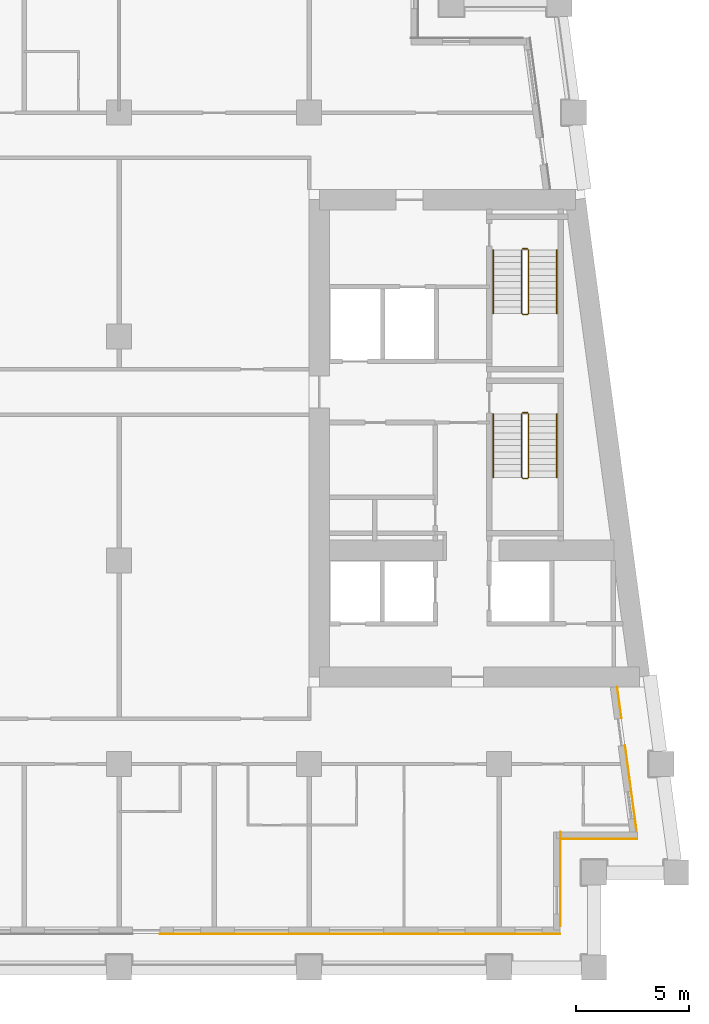
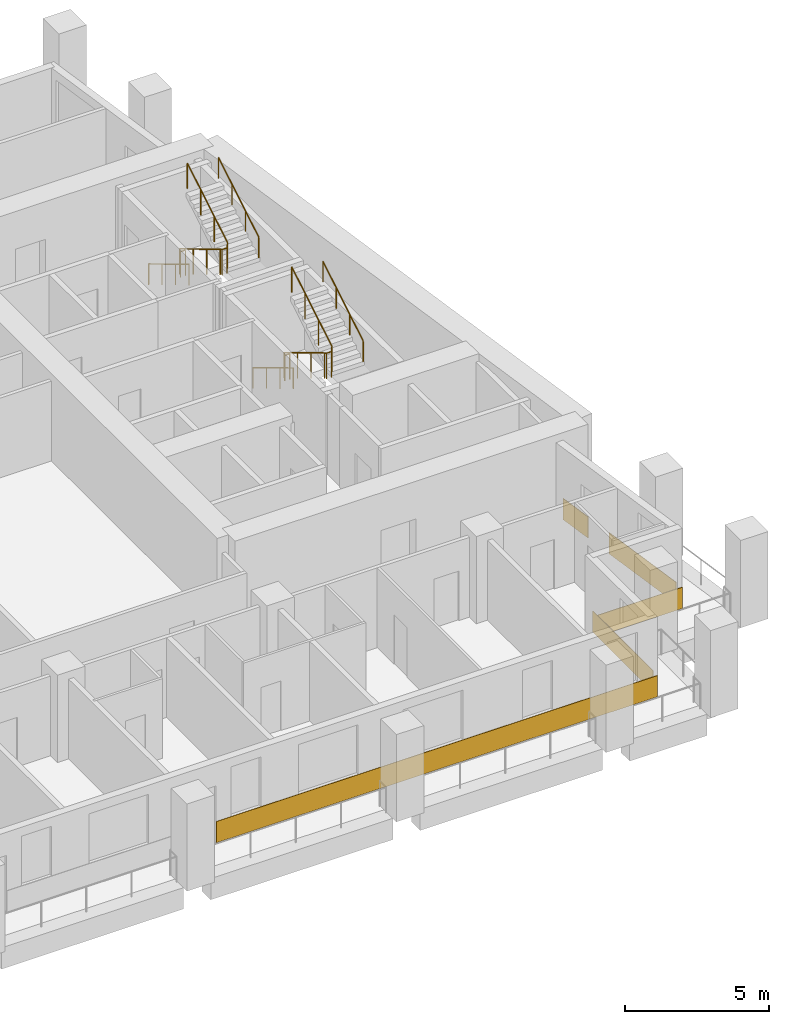
# One storey, part 10 of 12: 8 railings, 5 coverings.
"""IFC4 building model written with IfcOpenShell, lengths in metres."""

from ifc_helpers import new_model, si_unit, direction, frame, origin, origin_2d, place, context, subcontext, project, spatial, rectangle, circle, extrude, material, layer, layer_set, type_object, element, save


model = new_model("IFC4")

# Units and contexts
model_context = context("Model", 3, precision=1e-05, world=origin(), true_north=direction((0.0, 1.0)))
body_context = subcontext(model_context, "Body", "Model", "MODEL_VIEW")
ifc_project = project(units=[si_unit("LENGTHUNIT", "METRE"), si_unit("AREAUNIT", "SQUARE_METRE"), si_unit("VOLUMEUNIT", "CUBIC_METRE"), si_unit("PLANEANGLEUNIT", "RADIAN"), si_unit("MASSUNIT", "GRAM", prefix="KILO")], contexts=[model_context])

# Site, building, storey
site_placement = place(None, origin())
site = spatial("IfcSite", under=ifc_project, at=site_placement, CompositionType="ELEMENT")
building_placement = place(site_placement, origin())
building = spatial("IfcBuilding", under=site, at=building_placement, Name="Candeia Pilgrim Tower and Theatre", CompositionType="ELEMENT")
storey_placement = place(building_placement, frame((0.0, 0.0, 184.800048828125)))
storey = spatial("IfcBuildingStorey", under=building, at=storey_placement, Name="L44", CompositionType="ELEMENT", Elevation=184.800048828125)

# Coverings
ifc_material_1 = material(Name="Glazed ceramic tile rust")
ifc_layer = layer(ifc_material_1, 0.02001953125)
ifc_layer_set = layer_set([ifc_layer], Name="Glazed ceramic tile rust")
covering_type = type_object("IfcCoveringType", Name="Glazed ceramic tile rust", PredefinedType="CLADDING", material=ifc_layer_set)
covering_1_placement = place(storey_placement, frame((128.25, 99.489990234375, 0.0), z_axis=(0.0, 0.0, 1.0), x_axis=(1.0, 0.0, 0.0)))
element("IfcCovering", 1, at=covering_1_placement, inside=storey, type_object=covering_type, Name="Tile cladding rust L44", PredefinedType="CLADDING", context=body_context, shape_type="SweptSolid", body=[
    extrude(rectangle(XDim=17.699951171875, YDim=0.02001953125, at=origin_2d()), origin(), (0.0, 0.0, 1.0), 0.89990234375),
])
covering_2_placement = place(storey_placement, frame((137.110107421875, 101.909912109375, 0.0), z_axis=(0.0, 0.0, 1.0), x_axis=(0.0, 1.0, 0.0)))
element("IfcCovering", 2, at=covering_2_placement, inside=storey, type_object=covering_type, Name="Tile cladding rust L44", PredefinedType="CLADDING", context=body_context, shape_type="SweptSolid", body=[
    extrude(rectangle(XDim=4.179931640625, YDim=0.02001953125, at=origin_2d()), origin(), (0.0, 0.0, 1.0), 0.89990234375),
])
covering_3_placement = place(storey_placement, frame((138.819580078125, 103.68994140625, 0.0), z_axis=(0.0, 0.0, 1.0), x_axis=(1.0, 0.0, 0.0)))
element("IfcCovering", 3, at=covering_3_placement, inside=storey, type_object=covering_type, Name="Tile cladding rust L44", PredefinedType="CLADDING", context=body_context, shape_type="SweptSolid", body=[
    extrude(rectangle(XDim=3.399169921875, YDim=0.02001953125, at=origin_2d()), origin(), (0.0, 0.0, 1.0), 0.89990234375),
])
covering_4_placement = place(storey_placement, frame((140.228515625, 105.933349609375, 0.0), z_axis=(0.0, 0.0, 1.0), x_axis=(-0.133412012145, 0.991060661622, 0.0)))
element("IfcCovering", 4, at=covering_4_placement, inside=storey, type_object=covering_type, Name="Tile cladding rust L44", PredefinedType="CLADDING", context=body_context, shape_type="SweptSolid", body=[
    extrude(rectangle(XDim=3.821044921875, YDim=0.02001953125, at=origin_2d()), origin(), (0.0, 0.0, 1.0), 0.89990234375),
])
covering_5_placement = place(storey_placement, frame((139.718994140625, 109.71875, 0.0), z_axis=(0.0, 0.0, 1.0), x_axis=(-0.133412012145, 0.991060661622, 0.0)))
element("IfcCovering", 5, at=covering_5_placement, inside=storey, type_object=covering_type, Name="Tile cladding rust L44", PredefinedType="CLADDING", context=body_context, shape_type="SweptSolid", body=[
    extrude(rectangle(XDim=1.41796875, YDim=0.02001953125, at=origin_2d()), origin(), (0.0, 0.0, 1.0), 0.89990234375),
])

# Railings
ifc_material_2 = material(Name="Stainless steel balustrade", Category="steel")
railing_type_1 = type_object("IfcRailingType", Name="RL-GUARD-1100", PredefinedType="GUARDRAIL", material=ifc_material_2)
railing_1_placement = place(storey_placement, frame((135.39794921875, 122.47509765625, 0.168212890625)))
element("IfcRailing", 6, at=railing_1_placement, inside=storey, type_object=railing_type_1, Name="L44 ST3 stair guard 1", PredefinedType="GUARDRAIL", context=body_context, shape_type="SweptSolid", body=[
    extrude(circle(Radius=0.02392578125, at=origin_2d()), frame((0.0, 0.0, 1.076171875), z_axis=(0.0, -0.857275202839, 0.514858452973), x_axis=(1.0, 0.0, 0.0)), (0.0, 0.0, 1.0), 3.26611328125),
    extrude(circle(Radius=0.02392578125, at=origin_2d()), frame((0.0, -2.800048828125, 2.7578125), z_axis=(0.707106781187, -0.707106781187, 0.0), x_axis=(0.707106781187, 0.707106781187, 0.0)), (0.0, 0.0, 1.0), 0.07080078125),
    extrude(circle(Radius=0.02392578125, at=origin_2d()), frame((0.050048828125, -2.85009765625, 2.7578125), z_axis=(1.0, 0.0, 0.0), x_axis=(0.0, 1.0, 0.0)), (0.0, 0.0, 1.0), 0.199951171875),
    extrude(circle(Radius=0.02392578125, at=origin_2d()), frame((0.25, -2.85009765625, 2.7578125), z_axis=(0.274243871929, 0.274243871929, 0.92172696468), x_axis=(-0.707106781187, 0.707106781187, 0.0)), (0.0, 0.0, 1.0), 0.1826171875),
    extrude(circle(Radius=0.02392578125, at=origin_2d()), frame((0.300048828125, -2.800048828125, 2.92578125), z_axis=(0.0, 0.857242210791, 0.514913383045), x_axis=(-1.0, 0.0, 0.0)), (0.0, 0.0, 1.0), 3.266357421875),
    extrude(circle(Radius=0.02099609375, at=origin_2d()), origin(), (0.0, 0.0, 1.0), 1.052001953125),
    extrude(circle(Radius=0.02099609375, at=origin_2d()), frame((0.0, -0.933349609375, 0.560546875)), (0.0, 0.0, 1.0), 1.052001953125),
    extrude(circle(Radius=0.02099609375, at=origin_2d()), frame((0.0, -1.86669921875, 1.12109375)), (0.0, 0.0, 1.0), 1.052001953125),
    extrude(circle(Radius=0.02099609375, at=origin_2d()), frame((0.0, -2.800048828125, 1.681640625)), (0.0, 0.0, 1.0), 1.052001953125),
    extrude(circle(Radius=0.02099609375, at=origin_2d()), frame((0.050048828125, -2.85009765625, 1.681640625)), (0.0, 0.0, 1.0), 1.052001953125),
    extrude(circle(Radius=0.02099609375, at=origin_2d()), frame((0.25, -2.85009765625, 1.681640625)), (0.0, 0.0, 1.0), 1.052001953125),
    extrude(circle(Radius=0.02099609375, at=origin_2d()), frame((0.300048828125, -2.800048828125, 1.849853515625)), (0.0, 0.0, 1.0), 1.052001953125),
    extrude(circle(Radius=0.02099609375, at=origin_2d()), frame((0.300048828125, -1.86669921875, 2.410400390625)), (0.0, 0.0, 1.0), 1.052001953125),
    extrude(circle(Radius=0.02099609375, at=origin_2d()), frame((0.300048828125, -0.933349609375, 2.97119140625)), (0.0, 0.0, 1.0), 1.052001953125),
    extrude(circle(Radius=0.02099609375, at=origin_2d()), frame((0.300048828125, 0.0, 3.53173828125)), (0.0, 0.0, 1.0), 1.052001953125),
])
railing_2_placement = place(storey_placement, frame((135.447998046875, 122.52490234375, 0.0)))
element("IfcRailing", 7, at=railing_2_placement, inside=storey, type_object=railing_type_1, Name="L44 ST3 stair guard 2", PredefinedType="GUARDRAIL", context=body_context, shape_type="SweptSolid", body=[
    extrude(circle(Radius=0.02392578125, at=origin_2d()), frame((0.0, 0.0, 1.076171875), z_axis=(1.0, 0.0, 0.0), x_axis=(0.0, 1.0, 0.0)), (0.0, 0.0, 1.0), 0.199951171875),
    extrude(circle(Radius=0.02099609375, at=origin_2d()), origin(), (0.0, 0.0, 1.0), 1.052001953125),
    extrude(circle(Radius=0.02099609375, at=origin_2d()), frame((0.199951171875, 0.0, 0.0)), (0.0, 0.0, 1.0), 1.052001953125),
])
railing_3_placement = place(storey_placement, frame((135.39794921875, 129.72509765625, 0.168212890625)))
element("IfcRailing", 8, at=railing_3_placement, inside=storey, type_object=railing_type_1, Name="L44 ST4 stair guard 1", PredefinedType="GUARDRAIL", context=body_context, shape_type="SweptSolid", body=[
    extrude(circle(Radius=0.02392578125, at=origin_2d()), frame((0.0, 0.0, 1.076171875), z_axis=(0.0, -0.857275202839, 0.514858452973), x_axis=(1.0, 0.0, 0.0)), (0.0, 0.0, 1.0), 3.26611328125),
    extrude(circle(Radius=0.02392578125, at=origin_2d()), frame((0.0, -2.800048828125, 2.7578125), z_axis=(0.707106781187, -0.707106781187, 0.0), x_axis=(0.707106781187, 0.707106781187, 0.0)), (0.0, 0.0, 1.0), 0.07080078125),
    extrude(circle(Radius=0.02392578125, at=origin_2d()), frame((0.050048828125, -2.85009765625, 2.7578125), z_axis=(1.0, 0.0, 0.0), x_axis=(0.0, 1.0, 0.0)), (0.0, 0.0, 1.0), 0.199951171875),
    extrude(circle(Radius=0.02392578125, at=origin_2d()), frame((0.25, -2.85009765625, 2.7578125), z_axis=(0.274243871929, 0.274243871929, 0.92172696468), x_axis=(-0.707106781187, 0.707106781187, 0.0)), (0.0, 0.0, 1.0), 0.1826171875),
    extrude(circle(Radius=0.02392578125, at=origin_2d()), frame((0.300048828125, -2.800048828125, 2.92578125), z_axis=(0.0, 0.857242210791, 0.514913383045), x_axis=(-1.0, 0.0, 0.0)), (0.0, 0.0, 1.0), 3.266357421875),
    extrude(circle(Radius=0.02099609375, at=origin_2d()), origin(), (0.0, 0.0, 1.0), 1.052001953125),
    extrude(circle(Radius=0.02099609375, at=origin_2d()), frame((0.0, -0.933349609375, 0.560546875)), (0.0, 0.0, 1.0), 1.052001953125),
    extrude(circle(Radius=0.02099609375, at=origin_2d()), frame((0.0, -1.86669921875, 1.12109375)), (0.0, 0.0, 1.0), 1.052001953125),
    extrude(circle(Radius=0.02099609375, at=origin_2d()), frame((0.0, -2.800048828125, 1.681640625)), (0.0, 0.0, 1.0), 1.052001953125),
    extrude(circle(Radius=0.02099609375, at=origin_2d()), frame((0.050048828125, -2.85009765625, 1.681640625)), (0.0, 0.0, 1.0), 1.052001953125),
    extrude(circle(Radius=0.02099609375, at=origin_2d()), frame((0.25, -2.85009765625, 1.681640625)), (0.0, 0.0, 1.0), 1.052001953125),
    extrude(circle(Radius=0.02099609375, at=origin_2d()), frame((0.300048828125, -2.800048828125, 1.849853515625)), (0.0, 0.0, 1.0), 1.052001953125),
    extrude(circle(Radius=0.02099609375, at=origin_2d()), frame((0.300048828125, -1.86669921875, 2.410400390625)), (0.0, 0.0, 1.0), 1.052001953125),
    extrude(circle(Radius=0.02099609375, at=origin_2d()), frame((0.300048828125, -0.933349609375, 2.97119140625)), (0.0, 0.0, 1.0), 1.052001953125),
    extrude(circle(Radius=0.02099609375, at=origin_2d()), frame((0.300048828125, 0.0, 3.53173828125)), (0.0, 0.0, 1.0), 1.052001953125),
])
railing_4_placement = place(storey_placement, frame((135.447998046875, 129.77490234375, 0.0)))
element("IfcRailing", 9, at=railing_4_placement, inside=storey, type_object=railing_type_1, Name="L44 ST4 stair guard 2", PredefinedType="GUARDRAIL", context=body_context, shape_type="SweptSolid", body=[
    extrude(circle(Radius=0.02392578125, at=origin_2d()), frame((0.0, 0.0, 1.076171875), z_axis=(1.0, 0.0, 0.0), x_axis=(0.0, 1.0, 0.0)), (0.0, 0.0, 1.0), 0.199951171875),
    extrude(circle(Radius=0.02099609375, at=origin_2d()), origin(), (0.0, 0.0, 1.0), 1.052001953125),
    extrude(circle(Radius=0.02099609375, at=origin_2d()), frame((0.199951171875, 0.0, 0.0)), (0.0, 0.0, 1.0), 1.052001953125),
])
ifc_material_3 = material(Name="Stainless steel handrail", Category="steel")
railing_type_2 = type_object("IfcRailingType", Name="RL-HANDRAIL-900", PredefinedType="HANDRAIL", material=ifc_material_3)
railing_5_placement = place(storey_placement, frame((134.14794921875, 122.47509765625, 0.168212890625)))
element("IfcRailing", 10, at=railing_5_placement, inside=storey, type_object=railing_type_2, Name="L44 ST3 stair handrail 1", PredefinedType="HANDRAIL", context=body_context, shape_type="SweptSolid", body=[
    extrude(circle(Radius=0.02392578125, at=origin_2d()), frame((0.0, 0.0, 0.8759765625), z_axis=(0.0, -0.857275202839, 0.514858452973), x_axis=(1.0, 0.0, 0.0)), (0.0, 0.0, 1.0), 3.26611328125),
    extrude(circle(Radius=0.02099609375, at=origin_2d()), origin(), (0.0, 0.0, 1.0), 0.851806640625),
    extrude(circle(Radius=0.02099609375, at=origin_2d()), frame((0.0, -0.933349609375, 0.560546875)), (0.0, 0.0, 1.0), 0.851806640625),
    extrude(circle(Radius=0.02099609375, at=origin_2d()), frame((0.0, -1.86669921875, 1.12109375)), (0.0, 0.0, 1.0), 0.851806640625),
    extrude(circle(Radius=0.02099609375, at=origin_2d()), frame((0.0, -2.800048828125, 1.681640625)), (0.0, 0.0, 1.0), 0.851806640625),
])
railing_6_placement = place(storey_placement, frame((136.947998046875, 119.675048828125, 2.01806640625)))
element("IfcRailing", 11, at=railing_6_placement, inside=storey, type_object=railing_type_2, Name="L44 ST3 stair handrail 2", PredefinedType="HANDRAIL", context=body_context, shape_type="SweptSolid", body=[
    extrude(circle(Radius=0.02392578125, at=origin_2d()), frame((0.0, 0.0, 0.8759765625), z_axis=(0.0, 0.857242210791, 0.514913383045), x_axis=(-1.0, 0.0, 0.0)), (0.0, 0.0, 1.0), 3.266357421875),
    extrude(circle(Radius=0.02099609375, at=origin_2d()), origin(), (0.0, 0.0, 1.0), 0.851806640625),
    extrude(circle(Radius=0.02099609375, at=origin_2d()), frame((0.0, 0.933349609375, 0.560546875)), (0.0, 0.0, 1.0), 0.851806640625),
    extrude(circle(Radius=0.02099609375, at=origin_2d()), frame((0.0, 1.86669921875, 1.121337890625)), (0.0, 0.0, 1.0), 0.851806640625),
    extrude(circle(Radius=0.02099609375, at=origin_2d()), frame((0.0, 2.800048828125, 1.681884765625)), (0.0, 0.0, 1.0), 0.851806640625),
])
railing_7_placement = place(storey_placement, frame((134.14794921875, 129.72509765625, 0.168212890625)))
element("IfcRailing", 12, at=railing_7_placement, inside=storey, type_object=railing_type_2, Name="L44 ST4 stair handrail 1", PredefinedType="HANDRAIL", context=body_context, shape_type="SweptSolid", body=[
    extrude(circle(Radius=0.02392578125, at=origin_2d()), frame((0.0, 0.0, 0.8759765625), z_axis=(0.0, -0.857275202839, 0.514858452973), x_axis=(1.0, 0.0, 0.0)), (0.0, 0.0, 1.0), 3.26611328125),
    extrude(circle(Radius=0.02099609375, at=origin_2d()), origin(), (0.0, 0.0, 1.0), 0.851806640625),
    extrude(circle(Radius=0.02099609375, at=origin_2d()), frame((0.0, -0.933349609375, 0.560546875)), (0.0, 0.0, 1.0), 0.851806640625),
    extrude(circle(Radius=0.02099609375, at=origin_2d()), frame((0.0, -1.86669921875, 1.12109375)), (0.0, 0.0, 1.0), 0.851806640625),
    extrude(circle(Radius=0.02099609375, at=origin_2d()), frame((0.0, -2.800048828125, 1.681640625)), (0.0, 0.0, 1.0), 0.851806640625),
])
railing_8_placement = place(storey_placement, frame((136.947998046875, 126.925048828125, 2.01806640625)))
element("IfcRailing", 13, at=railing_8_placement, inside=storey, type_object=railing_type_2, Name="L44 ST4 stair handrail 2", PredefinedType="HANDRAIL", context=body_context, shape_type="SweptSolid", body=[
    extrude(circle(Radius=0.02392578125, at=origin_2d()), frame((0.0, 0.0, 0.8759765625), z_axis=(0.0, 0.857242210791, 0.514913383045), x_axis=(-1.0, 0.0, 0.0)), (0.0, 0.0, 1.0), 3.266357421875),
    extrude(circle(Radius=0.02099609375, at=origin_2d()), origin(), (0.0, 0.0, 1.0), 0.851806640625),
    extrude(circle(Radius=0.02099609375, at=origin_2d()), frame((0.0, 0.933349609375, 0.560546875)), (0.0, 0.0, 1.0), 0.851806640625),
    extrude(circle(Radius=0.02099609375, at=origin_2d()), frame((0.0, 1.86669921875, 1.121337890625)), (0.0, 0.0, 1.0), 0.851806640625),
    extrude(circle(Radius=0.02099609375, at=origin_2d()), frame((0.0, 2.800048828125, 1.681884765625)), (0.0, 0.0, 1.0), 0.851806640625),
])

save(model, "model.ifc")
